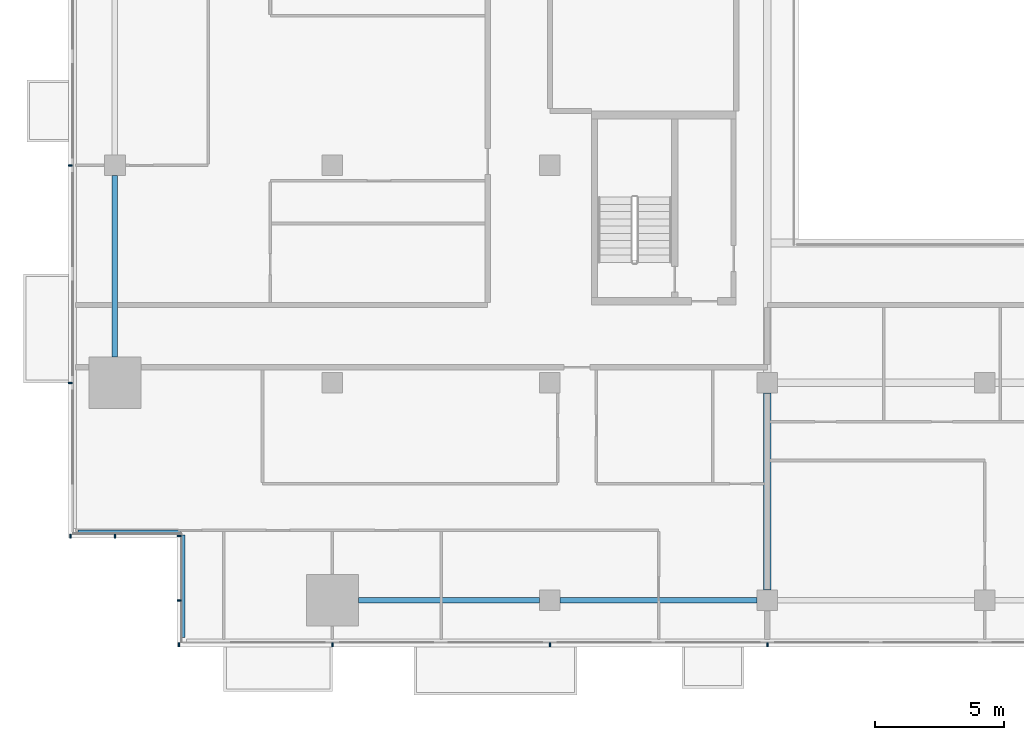
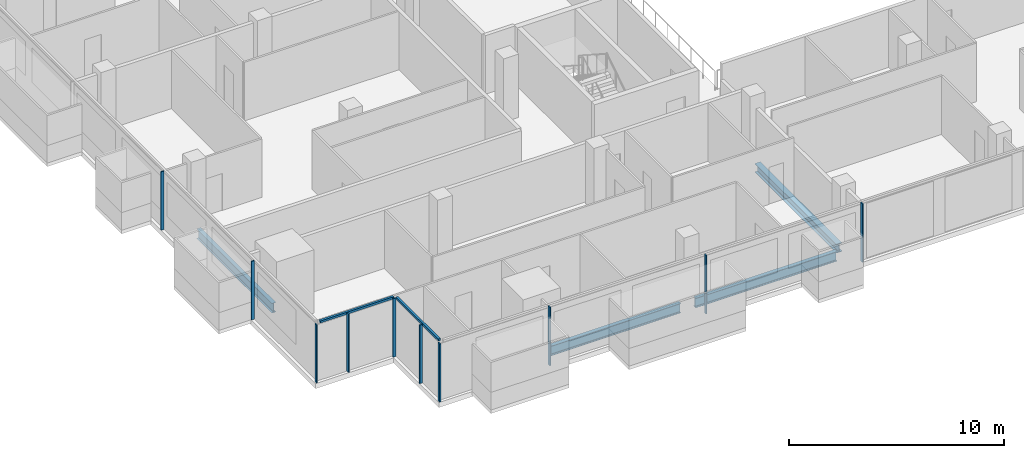
# One storey, part 2 of 29: 12 members, 4 beams, 4 elements without a shape of their own.
"""IFC4 building model written with IfcOpenShell, lengths in metres."""

from ifc_helpers import new_model, si_unit, direction, frame, origin, origin_2d, place, context, subcontext, project, spatial, rectangle, i_section, extrude, material, material_profile, profile_set, type_object, element, aggregate, save


model = new_model("IFC4")

# Units and contexts
model_context = context("Model", 3, precision=1e-05, world=origin(), true_north=direction((0.0, 1.0)))
body_context = subcontext(model_context, "Body", "Model", "MODEL_VIEW")
ifc_project = project(units=[si_unit("LENGTHUNIT", "METRE"), si_unit("AREAUNIT", "SQUARE_METRE"), si_unit("VOLUMEUNIT", "CUBIC_METRE"), si_unit("PLANEANGLEUNIT", "RADIAN"), si_unit("MASSUNIT", "GRAM", prefix="KILO")], contexts=[model_context])

# Site, building, storey
site_placement = place(None, origin())
site = spatial("IfcSite", under=ifc_project, at=site_placement, CompositionType="ELEMENT")
building_placement = place(site_placement, origin())
building = spatial("IfcBuilding", under=site, at=building_placement, Name="Saffron Gate Tower", CompositionType="ELEMENT")
storey_placement = place(building_placement, frame((0.0, 0.0, 106.050048828125)))
storey = spatial("IfcBuildingStorey", under=building, at=storey_placement, Name="L24", CompositionType="ELEMENT", Elevation=106.050048828125)

# Beams
ifc_material_1 = material(Name="Structural steel S355", Category="steel")
ifc_material_profile_1 = material_profile(ifc_material_1, i_section(OverallWidth=0.2099609375, OverallDepth=0.550048828125, WebThickness=0.010986328125, FlangeThickness=0.01708984375, FilletRadius=0.02392578125, at=origin_2d()))
ifc_profile_set_1 = profile_set([ifc_material_profile_1], Name="Structural steel S355")
beam_type_1 = type_object("IfcBeamType", Name="B13 IPE 550", PredefinedType="SPANDREL", material=ifc_profile_set_1)
for number, where, z_axis, x_axis, name in (
    (1, (49.800048828125, 41.199951171875, -0.554931640625), (0.0, 1.0, 0.0), (-1.0, 0.0, 0.0), "B13 SPANDREL BEAM"),
    (2, (59.199951171875, 31.800048828125, -0.554931640625), (1.0, 0.0, 0.0), (0.0, 1.0, 0.0), "B13 SPANDREL BEAM"),
):
    element("IfcBeam", number, at=place(storey_placement, frame(where, z_axis=z_axis, x_axis=x_axis)), inside=storey, type_object=beam_type_1, Name=name, PredefinedType="SPANDREL", context=body_context, shape_type="SweptSolid", body=[
        extrude(i_section(OverallWidth=0.2099609375, OverallDepth=0.550048828125, WebThickness=0.010986328125, FlangeThickness=0.01708984375, FilletRadius=0.02392578125, at=origin_2d()), origin(), (0.0, 0.0, 1.0), 7.0),
    ])
beam_1_placement = place(storey_placement, frame((67.0, 31.800048828125, -0.554931640625), z_axis=(1.0, 0.0, 0.0), x_axis=(0.0, 1.0, 0.0)))
element("IfcBeam", 3, at=beam_1_placement, inside=storey, type_object=beam_type_1, Name="B13 SPANDREL BEAM", PredefinedType="SPANDREL", context=body_context, shape_type="SweptSolid", body=[
    extrude(i_section(OverallWidth=0.2099609375, OverallDepth=0.550048828125, WebThickness=0.010986328125, FlangeThickness=0.01708984375, FilletRadius=0.02392578125, at=origin_2d()), origin(), (0.0, 0.0, 1.0), 7.60009765625),
])
ifc_material_profile_2 = material_profile(ifc_material_1, i_section(OverallWidth=0.300048828125, OverallDepth=0.489990234375, WebThickness=0.011962890625, FlangeThickness=0.02294921875, FilletRadius=0.027099609375, at=origin_2d()))
ifc_profile_set_2 = profile_set([ifc_material_profile_2], Name="Structural steel S355")
beam_type_2 = type_object("IfcBeamType", Name="B8 HEA 500", PredefinedType="BEAM", material=ifc_profile_set_2)
beam_2_placement = place(storey_placement, frame((75.0, 32.199951171875, -0.525146484375), z_axis=(0.0, 1.0, 0.0), x_axis=(-1.0, 0.0, 0.0)))
element("IfcBeam", 4, at=beam_2_placement, inside=storey, type_object=beam_type_2, Name="B8 FLOOR GIRDER", PredefinedType="BEAM", context=body_context, shape_type="SweptSolid", body=[
    extrude(i_section(OverallWidth=0.300048828125, OverallDepth=0.489990234375, WebThickness=0.011962890625, FlangeThickness=0.02294921875, FilletRadius=0.027099609375, at=origin_2d()), origin(), (0.0, 0.0, 1.0), 7.60009765625),
])

# Curtain wall, members
ifc_material_2 = material(Name="Aluminium, bronze anodised", Category="aluminium")
curtain_wall_type_1 = type_object("IfcCurtainWallType", Name="CWS1 curtain wall front facade", PredefinedType="NOTDEFINED", material=ifc_material_2)
curtain_wall_1_placement = place(storey_placement, origin())
curtain_wall_1 = element("IfcCurtainWall", 5, at=curtain_wall_1_placement, inside=storey, type_object=curtain_wall_type_1, Name="CWS1 run 1", PredefinedType="NOTDEFINED")
ifc_material_profile_3 = material_profile(ifc_material_2, rectangle(XDim=0.159912109375, YDim=0.06005859375, at=origin_2d()))
ifc_profile_set_3 = profile_set([ifc_material_profile_3], Name="Aluminium, bronze anodised")
member_type_1 = type_object("IfcMemberType", Name="CWS1 mullion 60x160", PredefinedType="MULLION", material=ifc_profile_set_3)
member_1_placement = place(storey_placement, frame((52.280029296875, 30.080078125, 0.0), z_axis=(0.0, 0.0, 1.0), x_axis=(0.0, 1.0, 0.0)))
member_1 = element("IfcMember", 6, at=member_1_placement, type_object=member_type_1, Name="CWS1 mullion 1", PredefinedType="MULLION", context=body_context, shape_type="SweptSolid", body=[
    extrude(rectangle(XDim=0.159912109375, YDim=0.06005859375, at=origin_2d()), origin(), (0.0, 0.0, 1.0), 3.320068359375),
])
member_2_placement = place(storey_placement, frame((58.199951171875, 30.080078125, 0.0), z_axis=(0.0, 0.0, 1.0), x_axis=(0.0, 1.0, 0.0)))
member_2 = element("IfcMember", 7, at=member_2_placement, type_object=member_type_1, Name="CWS1 mullion 2", PredefinedType="MULLION", context=body_context, shape_type="SweptSolid", body=[
    extrude(rectangle(XDim=0.159912109375, YDim=0.06005859375, at=origin_2d()), origin(), (0.0, 0.0, 1.0), 3.320068359375),
])
member_3_placement = place(storey_placement, frame((66.60009765625, 30.080078125, 0.0), z_axis=(0.0, 0.0, 1.0), x_axis=(0.0, 1.0, 0.0)))
member_3 = element("IfcMember", 8, at=member_3_placement, type_object=member_type_1, Name="CWS1 mullion 3", PredefinedType="MULLION", context=body_context, shape_type="SweptSolid", body=[
    extrude(rectangle(XDim=0.159912109375, YDim=0.06005859375, at=origin_2d()), origin(), (0.0, 0.0, 1.0), 3.320068359375),
])
member_4_placement = place(storey_placement, frame((75.0, 30.080078125, 0.0), z_axis=(0.0, 0.0, 1.0), x_axis=(0.0, 1.0, 0.0)))
member_4 = element("IfcMember", 9, at=member_4_placement, type_object=member_type_1, Name="CWS1 mullion 4", PredefinedType="MULLION", context=body_context, shape_type="SweptSolid", body=[
    extrude(rectangle(XDim=0.159912109375, YDim=0.06005859375, at=origin_2d()), origin(), (0.0, 0.0, 1.0), 3.320068359375),
])
aggregate(curtain_wall_1, [member_1, member_2, member_3, member_4])

curtain_wall_type_2 = type_object("IfcCurtainWallType", Name="CWS2 curtain wall side facades", PredefinedType="NOTDEFINED", material=ifc_material_2)
curtain_wall_2_placement = place(storey_placement, origin())
curtain_wall_2 = element("IfcCurtainWall", 10, at=curtain_wall_2_placement, inside=storey, type_object=curtain_wall_type_2, Name="CWS2 run 10", PredefinedType="NOTDEFINED")
ifc_material_profile_4 = material_profile(ifc_material_2, rectangle(XDim=0.159912109375, YDim=0.06005859375, at=origin_2d()))
ifc_profile_set_4 = profile_set([ifc_material_profile_4], Name="Aluminium, bronze anodised")
member_type_2 = type_object("IfcMemberType", Name="CWS2 mullion 60x160", PredefinedType="MULLION", material=ifc_profile_set_4)
member_5_placement = place(storey_placement, frame((48.080078125, 48.60009765625, 0.0), z_axis=(0.0, 0.0, 1.0), x_axis=(1.0, 0.0, 0.0)))
member_5 = element("IfcMember", 11, at=member_5_placement, type_object=member_type_2, Name="CWS2 mullion 4", PredefinedType="MULLION", context=body_context, shape_type="SweptSolid", body=[
    extrude(rectangle(XDim=0.159912109375, YDim=0.06005859375, at=origin_2d()), origin(), (0.0, 0.0, 1.0), 3.320068359375),
])
member_6_placement = place(storey_placement, frame((48.080078125, 40.199951171875, 0.0), z_axis=(0.0, 0.0, 1.0), x_axis=(1.0, 0.0, 0.0)))
member_6 = element("IfcMember", 12, at=member_6_placement, type_object=member_type_2, Name="CWS2 mullion 5", PredefinedType="MULLION", context=body_context, shape_type="SweptSolid", body=[
    extrude(rectangle(XDim=0.159912109375, YDim=0.06005859375, at=origin_2d()), origin(), (0.0, 0.0, 1.0), 3.320068359375),
])
aggregate(curtain_wall_2, [member_5, member_6])

# Curtain wall, member
curtain_wall_type_3 = type_object("IfcCurtainWallType", Name="CWS4 curtain wall corner returns", PredefinedType="NOTDEFINED", material=ifc_material_2)
curtain_wall_3_placement = place(storey_placement, origin())
curtain_wall_3 = element("IfcCurtainWall", 13, at=curtain_wall_3_placement, inside=storey, type_object=curtain_wall_type_3, Name="CWS4 run 11", PredefinedType="NOTDEFINED")
ifc_material_profile_5 = material_profile(ifc_material_2, rectangle(XDim=0.1201171875, YDim=0.1201171875, at=origin_2d()))
ifc_profile_set_5 = profile_set([ifc_material_profile_5], Name="Aluminium, bronze anodised")
member_type_3 = type_object("IfcMemberType", Name="CWS4 head transom", PredefinedType="USERDEFINED", material=ifc_profile_set_5)
member_7_placement = place(storey_placement, frame((48.367919921875, 34.447998046875, 3.260009765625), z_axis=(1.0, 0.0, 0.0), x_axis=(0.0, 1.0, 0.0)))
member_7 = element("IfcMember", 14, at=member_7_placement, type_object=member_type_3, Name="CWS4 head transom", ObjectType="TRANSOM", PredefinedType="USERDEFINED", context=body_context, shape_type="SweptSolid", body=[
    extrude(rectangle(XDim=0.1201171875, YDim=0.1201171875, at=origin_2d()), origin(), (0.0, 0.0, 1.0), 3.9599609375),
])

curtain_wall_4_placement = place(storey_placement, origin())
curtain_wall_4 = element("IfcCurtainWall", 15, at=curtain_wall_4_placement, inside=storey, type_object=curtain_wall_type_3, Name="CWS4 run 12", PredefinedType="NOTDEFINED")
member_8_placement = place(storey_placement, frame((52.447998046875, 34.327880859375, 3.260009765625), z_axis=(0.0, -1.0, 0.0), x_axis=(1.0, 0.0, 0.0)))
member_8 = element("IfcMember", 16, at=member_8_placement, type_object=member_type_3, Name="CWS4 head transom", ObjectType="TRANSOM", PredefinedType="USERDEFINED", context=body_context, shape_type="SweptSolid", body=[
    extrude(rectangle(XDim=0.1201171875, YDim=0.1201171875, at=origin_2d()), origin(), (0.0, 0.0, 1.0), 3.9599609375),
])

# Member
ifc_material_profile_6 = material_profile(ifc_material_2, rectangle(XDim=0.159912109375, YDim=0.06005859375, at=origin_2d()))
ifc_profile_set_6 = profile_set([ifc_material_profile_6], Name="Aluminium, bronze anodised")
member_type_4 = type_object("IfcMemberType", Name="CWS4 mullion 60x160", PredefinedType="MULLION", material=ifc_profile_set_6)
member_9_placement = place(storey_placement, frame((48.080078125, 34.280029296875, 0.0), z_axis=(0.0, 0.0, 1.0), x_axis=(0.0, 1.0, 0.0)))
member_9 = element("IfcMember", 17, at=member_9_placement, type_object=member_type_4, Name="CWS4 mullion 1", PredefinedType="MULLION", context=body_context, shape_type="SweptSolid", body=[
    extrude(rectangle(XDim=0.159912109375, YDim=0.06005859375, at=origin_2d()), origin(), (0.0, 0.0, 1.0), 3.320068359375),
])

member_10_placement = place(storey_placement, frame((49.800048828125, 34.280029296875, 0.0), z_axis=(0.0, 0.0, 1.0), x_axis=(0.0, 1.0, 0.0)))
member_10 = element("IfcMember", 18, at=member_10_placement, type_object=member_type_4, Name="CWS4 mullion 2", PredefinedType="MULLION", context=body_context, shape_type="SweptSolid", body=[
    extrude(rectangle(XDim=0.159912109375, YDim=0.06005859375, at=origin_2d()), origin(), (0.0, 0.0, 1.0), 3.320068359375),
])

aggregate(curtain_wall_3, [member_9, member_10, member_7])

member_11_placement = place(storey_placement, frame((52.280029296875, 34.280029296875, 0.0), z_axis=(0.0, 0.0, 1.0), x_axis=(1.0, 0.0, 0.0)))
member_11 = element("IfcMember", 19, at=member_11_placement, type_object=member_type_4, Name="CWS4 mullion 1", PredefinedType="MULLION", context=body_context, shape_type="SweptSolid", body=[
    extrude(rectangle(XDim=0.159912109375, YDim=0.06005859375, at=origin_2d()), origin(), (0.0, 0.0, 1.0), 3.320068359375),
])

member_12_placement = place(storey_placement, frame((52.280029296875, 31.800048828125, 0.0), z_axis=(0.0, 0.0, 1.0), x_axis=(1.0, 0.0, 0.0)))
member_12 = element("IfcMember", 20, at=member_12_placement, type_object=member_type_4, Name="CWS4 mullion 2", PredefinedType="MULLION", context=body_context, shape_type="SweptSolid", body=[
    extrude(rectangle(XDim=0.159912109375, YDim=0.06005859375, at=origin_2d()), origin(), (0.0, 0.0, 1.0), 3.320068359375),
])

aggregate(curtain_wall_4, [member_11, member_12, member_8])

save(model, "model.ifc")
